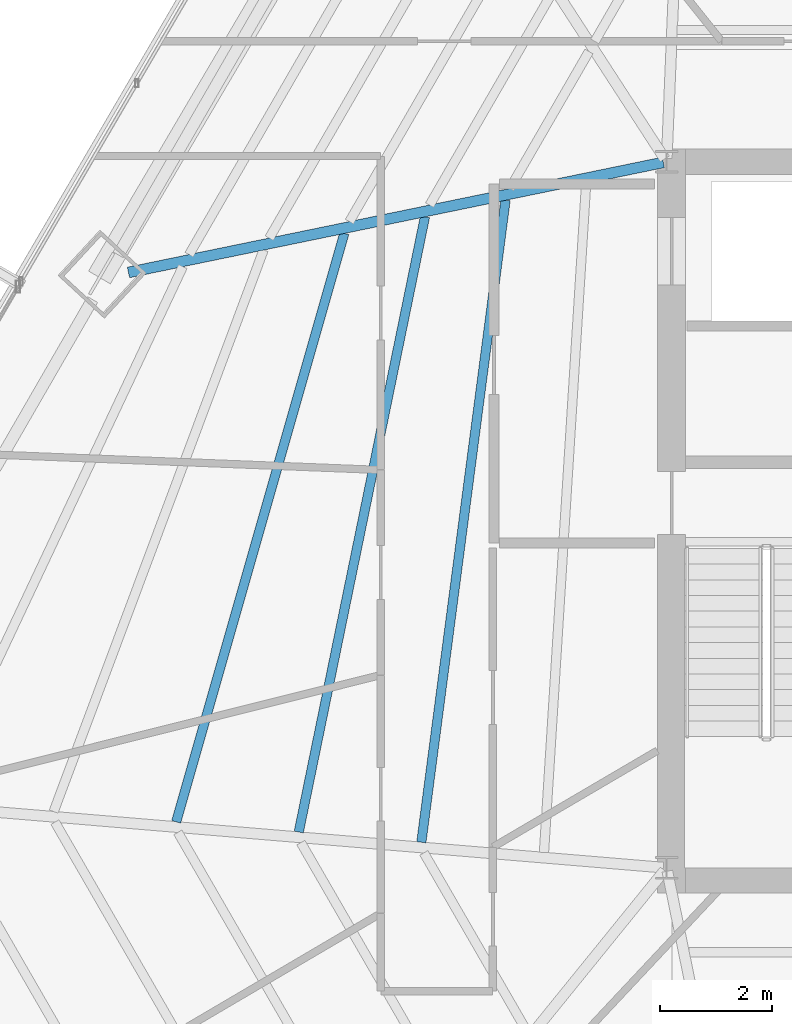
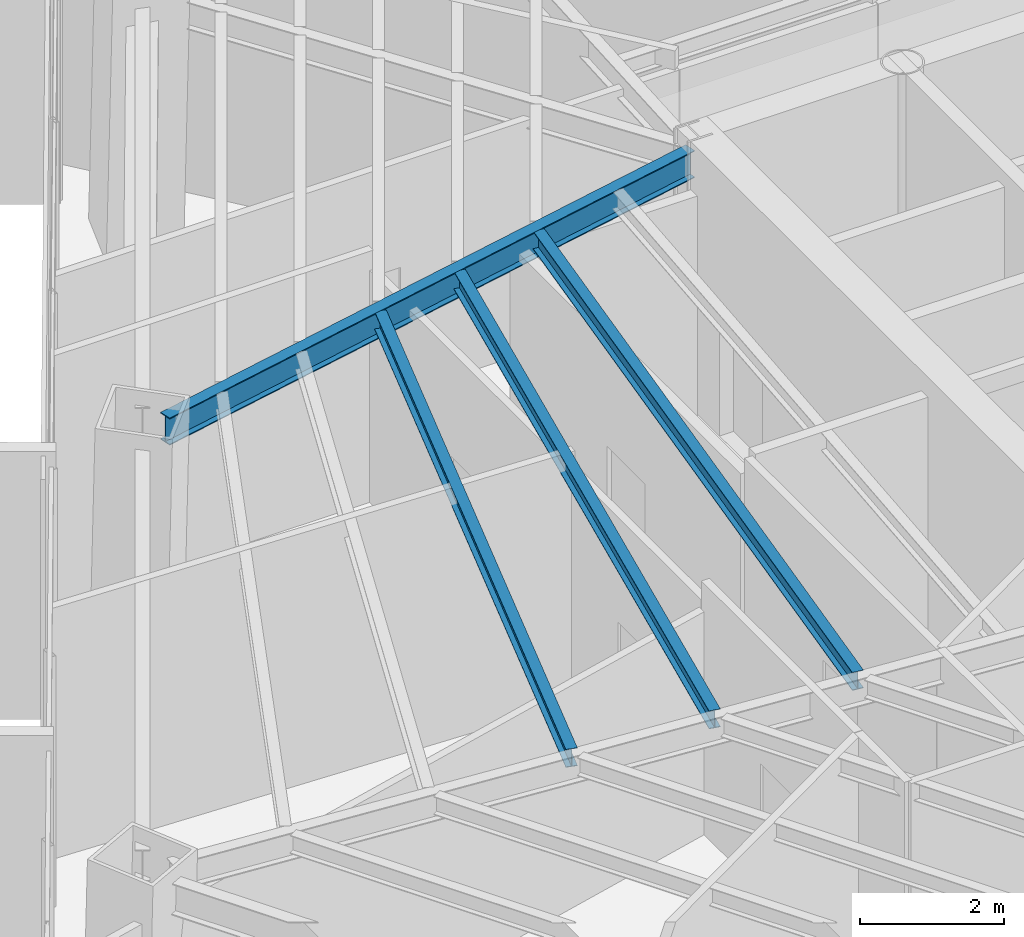
# One storey, part 11 of 37: 4 beams.
"""IFC4 building model written with IfcOpenShell, lengths in metres."""

from ifc_helpers import new_model, si_unit, direction, frame, origin, origin_2d, place, context, subcontext, project, spatial, i_section, extrude, source, transform, mapped, material, material_profile, profile_set, type_object, type_shapes, element, save


model = new_model("IFC4")

# Units and contexts
model_context = context("Model", 3, precision=1e-05, world=origin(), true_north=direction((0.0, 1.0)))
body_context = subcontext(model_context, "Body", "Model", "MODEL_VIEW")
ifc_project = project(units=[si_unit("LENGTHUNIT", "METRE"), si_unit("AREAUNIT", "SQUARE_METRE"), si_unit("VOLUMEUNIT", "CUBIC_METRE"), si_unit("PLANEANGLEUNIT", "RADIAN"), si_unit("MASSUNIT", "GRAM", prefix="KILO")], contexts=[model_context])

# Site, building, storey
site_placement = place(None, origin())
site = spatial("IfcSite", under=ifc_project, at=site_placement, CompositionType="ELEMENT")
building_placement = place(site_placement, origin())
building = spatial("IfcBuilding", under=site, at=building_placement, Name="Caelisora Broadcast Tower", CompositionType="ELEMENT")
storey_placement = place(building_placement, frame((0.0, 0.0, 127.300048828125)))
storey = spatial("IfcBuildingStorey", under=building, at=storey_placement, Name="L33", CompositionType="ELEMENT", Elevation=127.300048828125)

# Beams
ifc_material = material(Name="Steel Grade 350 (AS/NZS 3679.1)", Category="steel")
ifc_material_profile_1 = material_profile(ifc_material, i_section(OverallWidth=0.19091796875, OverallDepth=0.46044921875, WebThickness=0.010009765625, FlangeThickness=0.01611328125, at=origin_2d()), Name="Steel Grade 350 (AS/NZS 3679.1)")
ifc_profile_set_1 = profile_set([ifc_material_profile_1], Name="Steel Grade 350 (AS/NZS 3679.1)")
beam_type_1 = type_object("IfcBeamType", Name="PG06", PredefinedType="BEAM", material=ifc_profile_set_1)
shared_shape_1 = source(origin(), body_context, "Body", "SweptSolid", [
    extrude(i_section(OverallWidth=0.19091796875, OverallDepth=0.46044921875, WebThickness=0.010009765625, FlangeThickness=0.01611328125, at=origin_2d()), origin(), (0.0, 0.0, 1.0), 9.74267578125),
])
type_shapes(beam_type_1, [shared_shape_1])
beam_1_placement = place(storey_placement, frame((30.441162109375, 29.98779296875, 4.019775390625), z_axis=(-0.979468541621, -0.201597063406, 0.0), x_axis=(0.201597063406, -0.979468541621, 0.0)))
element("IfcBeam", 1, at=beam_1_placement, inside=storey, type_object=beam_type_1, Name="L33 beam PG06", PredefinedType="BEAM", context=body_context, shape_type="MappedRepresentation", body=[
    mapped(shared_shape_1, transform((0.0, 0.0, 0.0), scale=1.0)),
])
ifc_material_profile_2 = material_profile(ifc_material, i_section(OverallWidth=0.166015625, OverallDepth=0.30712890625, WebThickness=0.006591796875, FlangeThickness=0.01171875, at=origin_2d()), Name="Steel Grade 350 (AS/NZS 3679.1)")
ifc_profile_set_2 = profile_set([ifc_material_profile_2], Name="Steel Grade 350 (AS/NZS 3679.1)")
beam_type_2 = type_object("IfcBeamType", Name="SB03", PredefinedType="JOIST", material=ifc_profile_set_2)
shared_shape_2 = source(origin(), body_context, "Body", "SweptSolid", [
    extrude(i_section(OverallWidth=0.166015625, OverallDepth=0.30712890625, WebThickness=0.006591796875, FlangeThickness=0.01171875, at=origin_2d()), origin(), (0.0, 0.0, 1.0), 11.55419921875),
])
beam_2_placement = place(storey_placement, frame((27.62646484375, 29.313720703125, 4.096435546875), z_axis=(-0.130034717876, -0.99150944128, 0.0), x_axis=(0.99150944128, -0.130034717876, 0.0)))
element("IfcBeam", 2, at=beam_2_placement, inside=storey, type_object=beam_type_2, Name="L33 beam SB03", PredefinedType="JOIST", context=body_context, shape_type="MappedRepresentation", body=[
    mapped(shared_shape_2, transform((0.0, 0.0, 0.0), scale=1.0)),
])
shared_shape_3 = source(origin(), body_context, "Body", "SweptSolid", [
    extrude(i_section(OverallWidth=0.166015625, OverallDepth=0.30712890625, WebThickness=0.006591796875, FlangeThickness=0.01171875, at=origin_2d()), origin(), (0.0, 0.0, 1.0), 11.2060546875),
])
beam_3_placement = place(storey_placement, frame((26.1884765625, 29.017822265625, 4.096435546875), z_axis=(-0.200936102672, -0.979604350053, 0.0), x_axis=(0.979604350053, -0.200936102672, 0.0)))
element("IfcBeam", 3, at=beam_3_placement, inside=storey, type_object=beam_type_2, Name="L33 beam SB03", PredefinedType="JOIST", context=body_context, shape_type="MappedRepresentation", body=[
    mapped(shared_shape_3, transform((0.0, 0.0, 0.0), scale=1.0)),
])
shared_shape_4 = source(origin(), body_context, "Body", "SweptSolid", [
    extrude(i_section(OverallWidth=0.166015625, OverallDepth=0.30712890625, WebThickness=0.006591796875, FlangeThickness=0.01171875, at=origin_2d()), origin(), (0.0, 0.0, 1.0), 10.91943359375),
])
type_shapes(beam_type_2, [shared_shape_2, shared_shape_3, shared_shape_4])
beam_4_placement = place(storey_placement, frame((24.74951171875, 28.7216796875, 4.096435546875), z_axis=(-0.274718174894, -0.961524791351, 0.0), x_axis=(0.961524791351, -0.274718174894, 0.0)))
element("IfcBeam", 4, at=beam_4_placement, inside=storey, type_object=beam_type_2, Name="L33 beam SB03", PredefinedType="JOIST", context=body_context, shape_type="MappedRepresentation", body=[
    mapped(shared_shape_4, transform((0.0, 0.0, 0.0), scale=1.0)),
])

save(model, "model.ifc")
